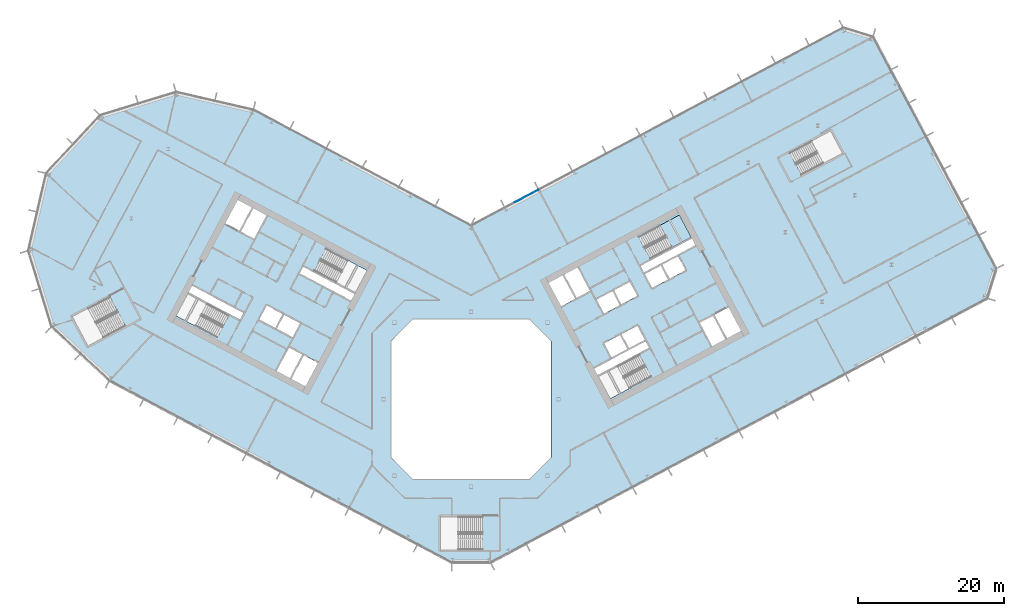
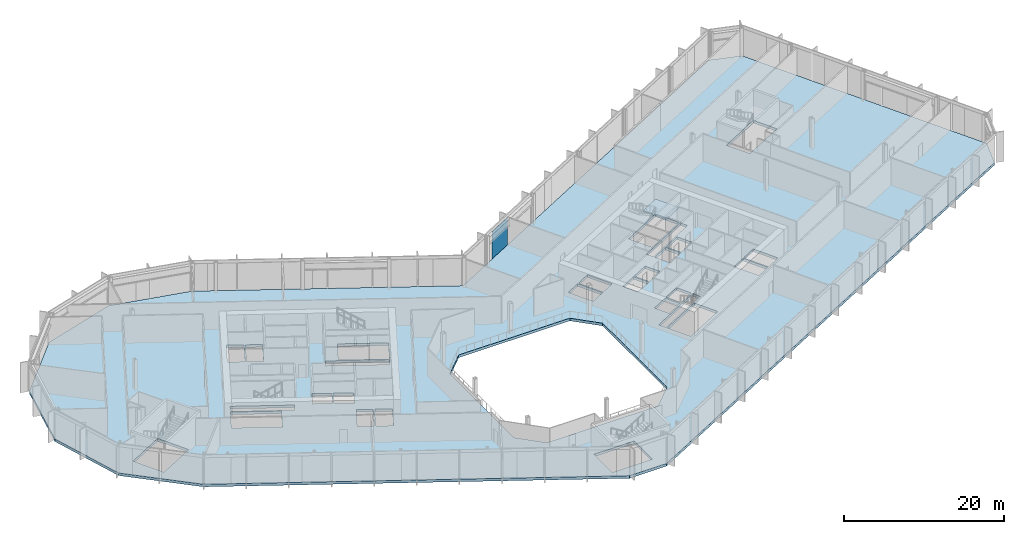
# One storey, part 12 of 31: 2 slabs, 1 plate, 2 elements without a shape of their own.
"""IFC4 building model written with IfcOpenShell, lengths in metres."""

from ifc_helpers import new_model, si_unit, direction, frame, origin, origin_2d, place, context, subcontext, project, spatial, polyline, rectangle, outline, extrude, material, layer, layer_set, type_object, element, aggregate, save


model = new_model("IFC4")

# Units and contexts
model_context = context("Model", 3, precision=1e-05, world=origin(), true_north=direction((0.0, 1.0)))
body_context = subcontext(model_context, "Body", "Model", "MODEL_VIEW")
ifc_project = project(units=[si_unit("LENGTHUNIT", "METRE"), si_unit("AREAUNIT", "SQUARE_METRE"), si_unit("VOLUMEUNIT", "CUBIC_METRE"), si_unit("PLANEANGLEUNIT", "RADIAN"), si_unit("MASSUNIT", "GRAM", prefix="KILO")], contexts=[model_context])

# Site, building, storey
site_placement = place(None, origin())
site = spatial("IfcSite", under=ifc_project, at=site_placement, CompositionType="ELEMENT")
building_placement = place(site_placement, origin())
building = spatial("IfcBuilding", under=site, at=building_placement, Name="Cormorant Relay Tower", CompositionType="ELEMENT")
storey_placement = place(building_placement, frame((0.0, 0.0, 98.39990234375)))
storey = spatial("IfcBuildingStorey", under=building, at=storey_placement, Name="L19", CompositionType="ELEMENT", Elevation=98.39990234375)

# Curtain wall, plate
ifc_material_1 = material(Name="Aluminium 6063-T6 anodised bronze", Category="aluminium")
ifc_layer_1 = layer(ifc_material_1, 0.199951171875)
ifc_layer_set_1 = layer_set([ifc_layer_1], Name="CW1 unitised bronze curtain wall with vertical fins")
curtain_wall_type = type_object("IfcCurtainWallType", Name="CW1 unitised bronze curtain wall with vertical fins", PredefinedType="NOTDEFINED", material=ifc_layer_set_1)
curtain_wall_placement = place(storey_placement, origin())
curtain_wall = element("IfcCurtainWall", 1, at=curtain_wall_placement, inside=storey, type_object=curtain_wall_type, Name="CW1 curtain wall 6", PredefinedType="NOTDEFINED")
ifc_material_2 = material(Name="Tinted laminated glass", Category="glass")
ifc_layer_2 = layer(ifc_material_2, 0.0400390625)
ifc_layer_set_2 = layer_set([ifc_layer_2], Name="CW1 tinted vision panel 3600 module")
plate_type = type_object("IfcPlateType", Name="CW1 tinted vision panel 3600 module", PredefinedType="CURTAIN_PANEL", material=ifc_layer_set_2)
plate_placement = place(storey_placement, frame((7.619384765625, 27.85791015625, 0.000244140625), z_axis=(0.0, 0.0, 1.0), x_axis=(-0.882947592859, -0.469471562786, 0.0)))
plate = element("IfcPlate", 2, at=plate_placement, type_object=plate_type, Name="CW1 panel V09", PredefinedType="CURTAIN_PANEL", context=body_context, shape_type="SweptSolid", body=[
    extrude(rectangle(XDim=3.60009765625, YDim=0.0400390625, at=origin_2d()), origin(), (0.0, 0.0, 1.0), 4.14990234375),
])
aggregate(curtain_wall, [plate])

# Stair, slab
ifc_material_3 = material(Name="Concrete 40 MPa", Category="concrete")
stair_type = type_object("IfcStairType", Name="Exit stair 1500", PredefinedType="HALF_TURN_STAIR", material=ifc_material_3)
stair_placement = place(storey_placement, origin())
stair = element("IfcStair", 3, at=stair_placement, inside=storey, type_object=stair_type, Name="L19 Stair", PredefinedType="HALF_TURN_STAIR")
ifc_material_4 = material(Name="Concrete 40 MPa", Category="concrete")
ifc_layer_3 = layer(ifc_material_4, 0.199951171875)
ifc_layer_set_3 = layer_set([ifc_layer_3], Name="Exit stair landing 200")
slab_type_1 = type_object("IfcSlabType", Name="Exit stair landing 200", PredefinedType="LANDING", material=ifc_layer_set_3)
slab_1_placement = place(storey_placement, frame((0.0, 0.0, 2.10009765625)))
slab_1 = element("IfcSlab", 4, at=slab_1_placement, type_object=slab_type_1, Name="B2 landing 1", PredefinedType="LANDING", context=body_context, shape_type="SweptSolid", body=[
    extrude(outline(polyline([(27.558837890625, 20.82568359375), (30.19873046875, 22.2294921875), (28.5791015625, 25.275634765625), (25.93896484375, 23.871826171875), (27.558837890625, 20.82568359375)])), origin(), (0.0, 0.0, 1.0), 0.199951171875),
])
aggregate(stair, [slab_1])

# Slab
ifc_material_5 = material(Name="Concrete 40 MPa", Category="concrete")
ifc_layer_4 = layer(ifc_material_5, 0.39990234375)
ifc_layer_set_4 = layer_set([ifc_layer_4], Name="Flat plate 400")
slab_type_2 = type_object("IfcSlabType", Name="Flat plate 400", PredefinedType="FLOOR", material=ifc_layer_set_4)
slab_2_placement = place(storey_placement, frame((0.0, 0.0, -0.39990234375)))
element("IfcSlab", 5, at=slab_2_placement, inside=storey, type_object=slab_type_2, Name="Floor slab L19", PredefinedType="FLOOR", context=body_context, shape_type="SweptSolid", body=[
    extrude(outline(polyline([(-60.7197265625, 20.393310546875), (-58.2744140625, 30.985107421875), (-50.86083984375, 38.935302734375), (-40.465576171875, 42.11328125), (-29.873779296875, 39.668212890625), (0.0, 23.783935546875), (51.064453125, 50.935302734375), (55.12158203125, 49.695068359375), (72.022705078125, 17.908935546875), (70.7822265625, 13.8515625), (2.648681640625, -22.37548828125), (-2.648681640625, -22.37548828125), (-49.591552734375, 2.584228515625), (-57.541748046875, 9.997802734375), (-60.7197265625, 20.393310546875)]), holes=[polyline([(11.0, -8.0), (11.0, 8.0), (8.0, 11.0), (-8.0, 11.0), (-11.0, 8.0), (-11.0, -8.0), (-8.0, -11.0), (8.0, -11.0), (11.0, -8.0)]), polyline([(-4.199951171875, -16.125), (-4.199951171875, -20.675048828125), (1.60009765625, -20.675048828125), (1.60009765625, -16.125), (-4.199951171875, -16.125)]), polyline([(-22.95458984375, 6.03271484375), (-24.668212890625, 2.81005859375), (-22.725830078125, 1.777099609375), (-21.01220703125, 5.0), (-23.04296875, 6.07958984375), (-22.95458984375, 6.03271484375)]), polyline([(-24.985595703125, 7.112548828125), (-26.69921875, 3.889892578125), (-24.844970703125, 2.90380859375), (-23.13134765625, 6.126708984375), (-23.04296875, 6.07958984375), (-24.985595703125, 7.112548828125)]), polyline([(-26.688720703125, 9.660400390625), (-24.481201171875, 8.48681640625), (-23.448486328125, 10.42919921875), (-25.656005859375, 11.602783203125), (-26.688720703125, 9.660400390625)]), polyline([(-49.57861328125, 14.0537109375), (-54.69970703125, 11.330810546875), (-52.563720703125, 7.3134765625), (-47.442626953125, 10.036376953125), (-49.57861328125, 14.0537109375)]), polyline([(-28.039794921875, 12.870361328125), (-29.07275390625, 10.927978515625), (-26.865234375, 9.75439453125), (-25.83251953125, 11.69677734375), (-28.039794921875, 12.870361328125)]), polyline([(-38.847900390625, 14.483154296875), (-40.46728515625, 11.43701171875), (-34.860595703125, 8.455810546875), (-33.240966796875, 11.502197265625), (-38.847900390625, 14.483154296875)]), polyline([(-38.260986328125, 15.5869140625), (-38.75390625, 14.659912109375), (-31.690185546875, 10.904052734375), (-31.197265625, 11.8310546875), (-38.260986328125, 15.5869140625)]), polyline([(14.3056640625, 13.779052734375), (12.592041015625, 17.001708984375), (10.649658203125, 15.968994140625), (12.36328125, 12.74609375), (14.39404296875, 13.825927734375), (14.3056640625, 13.779052734375)]), polyline([(16.33642578125, 14.85888671875), (14.622802734375, 18.08154296875), (12.768798828125, 17.095703125), (14.482421875, 13.872802734375), (14.39404296875, 13.825927734375), (16.33642578125, 14.85888671875)]), polyline([(-16.481689453125, 13.520263671875), (-15.989013671875, 14.447509765625), (-23.052490234375, 18.203125), (-23.54541015625, 17.276123046875), (-16.481689453125, 13.520263671875)]), polyline([(-21.501708984375, 17.605224609375), (-15.89501953125, 14.6240234375), (-14.275390625, 17.670166015625), (-19.882080078125, 20.6513671875), (-21.501708984375, 17.605224609375)]), polyline([(-31.611572265625, 22.980712890625), (-29.75732421875, 21.99462890625), (-28.043701171875, 25.217529296875), (-29.89794921875, 26.203369140625), (-31.611572265625, 22.980712890625)]), polyline([(-33.73046875, 24.107421875), (-31.7880859375, 23.074462890625), (-30.074462890625, 26.29736328125), (-32.01708984375, 27.330078125), (-33.73046875, 24.107421875)]), polyline([(23.087158203125, 6.10302734375), (17.48046875, 3.1220703125), (19.10009765625, 0.07568359375), (24.706787109375, 3.056884765625), (23.087158203125, 6.10302734375)]), polyline([(16.8935546875, 4.2255859375), (17.386474609375, 3.298583984375), (24.4501953125, 7.054443359375), (23.957275390625, 7.9814453125), (16.8935546875, 4.2255859375)]), polyline([(20.446533203125, 8.8330078125), (18.239013671875, 7.6591796875), (19.27197265625, 5.716796875), (21.479248046875, 6.890380859375), (20.446533203125, 8.8330078125)]), polyline([(22.830322265625, 10.1005859375), (20.623046875, 8.927001953125), (21.656005859375, 6.984375), (23.86328125, 8.158203125), (22.830322265625, 10.1005859375)]), polyline([(33.197021484375, 11.478515625), (31.3427734375, 10.49267578125), (33.056396484375, 7.27001953125), (34.910400390625, 8.255859375), (33.197021484375, 11.478515625)]), polyline([(33.37353515625, 11.572509765625), (35.087158203125, 8.349609375), (37.029541015625, 9.382568359375), (35.31591796875, 12.605224609375), (33.37353515625, 11.572509765625)]), polyline([(19.401123046875, 14.84619140625), (17.19384765625, 13.67236328125), (18.2265625, 11.72998046875), (20.43408203125, 12.903564453125), (19.401123046875, 14.84619140625)]), polyline([(22.81787109375, 14.171142578125), (21.78515625, 16.113525390625), (19.57763671875, 14.93994140625), (20.610595703125, 12.99755859375), (22.81787109375, 14.171142578125)]), polyline([(26.023193359375, 18.3671875), (23.81591796875, 17.193359375), (24.8486328125, 15.2509765625), (27.05615234375, 16.424560546875), (26.023193359375, 18.3671875)]), polyline([(29.440185546875, 17.692138671875), (28.4072265625, 19.634765625), (26.19970703125, 18.4609375), (27.232666015625, 16.5185546875), (29.440185546875, 17.692138671875)]), polyline([(30.78564453125, 21.125732421875), (30.29248046875, 22.052978515625), (23.22900390625, 18.297119140625), (23.721923828125, 17.3701171875), (30.78564453125, 21.125732421875)]), polyline([(24.592041015625, 19.248291015625), (30.19873046875, 22.2294921875), (28.5791015625, 25.275634765625), (22.972412109375, 22.29443359375), (24.592041015625, 19.248291015625)]), polyline([(45.3349609375, 30.773681640625), (50.941650390625, 33.7548828125), (49.322021484375, 36.801025390625), (43.715087890625, 33.81982421875), (45.3349609375, 30.773681640625)])]), origin(), (0.0, 0.0, 1.0), 0.39990234375),
])

save(model, "model.ifc")
